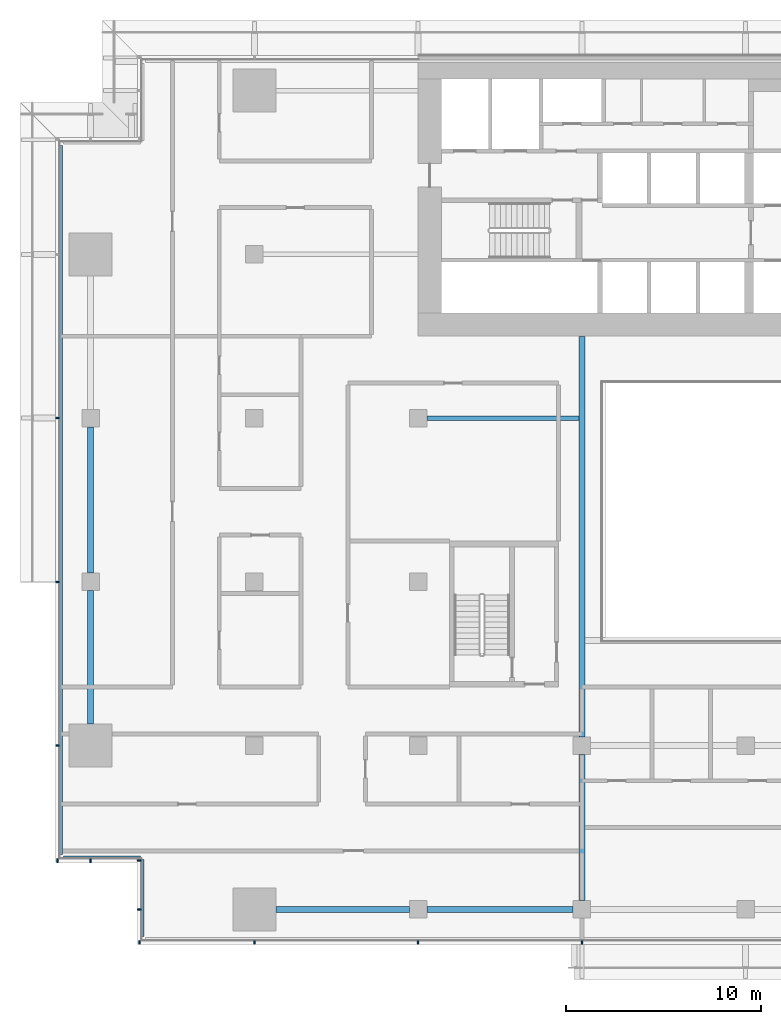
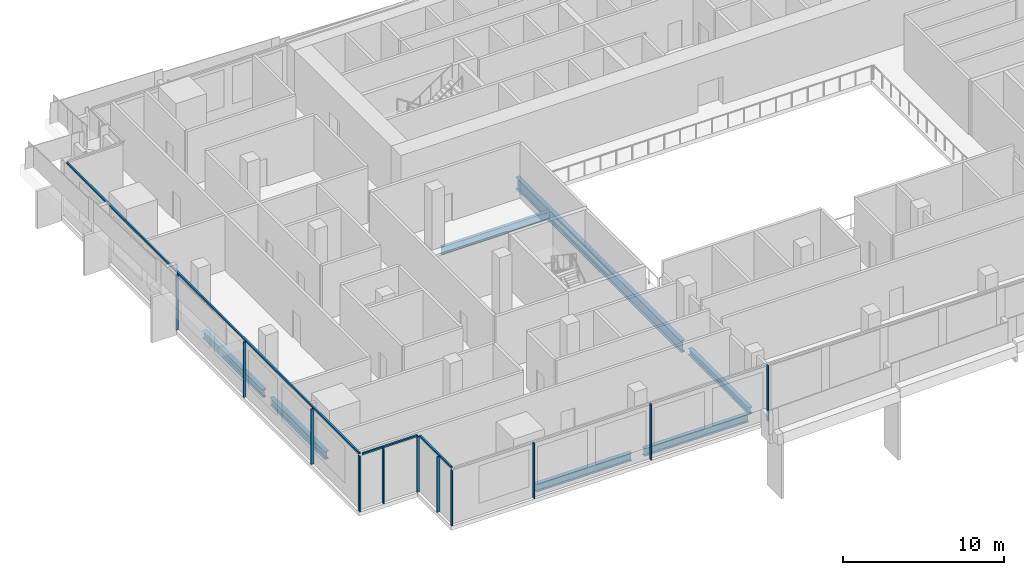
# One storey, part 2 of 24: 14 members, 7 beams, 4 elements without a shape of their own.
"""IFC4 building model written with IfcOpenShell, lengths in metres."""

from ifc_helpers import new_model, si_unit, direction, frame, origin, origin_2d, place, context, subcontext, project, spatial, rectangle, i_section, extrude, material, material_profile, profile_set, type_object, element, aggregate, save


model = new_model("IFC4")

# Units and contexts
model_context = context("Model", 3, precision=1e-05, world=origin(), true_north=direction((0.0, 1.0)))
body_context = subcontext(model_context, "Body", "Model", "MODEL_VIEW")
ifc_project = project(units=[si_unit("LENGTHUNIT", "METRE"), si_unit("AREAUNIT", "SQUARE_METRE"), si_unit("VOLUMEUNIT", "CUBIC_METRE"), si_unit("PLANEANGLEUNIT", "RADIAN"), si_unit("MASSUNIT", "GRAM", prefix="KILO")], contexts=[model_context])

# Site, building, storey
site_placement = place(None, origin())
site = spatial("IfcSite", under=ifc_project, at=site_placement, CompositionType="ELEMENT")
building_placement = place(site_placement, origin())
building = spatial("IfcBuilding", under=site, at=building_placement, Name="Saffron Gate Tower", CompositionType="ELEMENT")
storey_placement = place(building_placement, frame((0.0, 0.0, 28.199951171875)))
storey = spatial("IfcBuildingStorey", under=building, at=storey_placement, Name="L05", CompositionType="ELEMENT", Elevation=28.199951171875)

# Beams
ifc_material_1 = material(Name="Structural steel S355", Category="steel")
ifc_material_profile_1 = material_profile(ifc_material_1, i_section(OverallWidth=0.300048828125, OverallDepth=0.590087890625, WebThickness=0.012939453125, FlangeThickness=0.02490234375, FilletRadius=0.027099609375, at=origin_2d()))
ifc_profile_set_1 = profile_set([ifc_material_profile_1], Name="Structural steel S355")
beam_type_1 = type_object("IfcBeamType", Name="B14 HEA 600", PredefinedType="SPANDREL", material=ifc_profile_set_1)
beam_1_placement = place(storey_placement, frame((49.800048828125, 41.300048828125, -0.594970703125), z_axis=(0.0, 1.0, 0.0), x_axis=(-1.0, 0.0, 0.0)))
element("IfcBeam", 1, at=beam_1_placement, inside=storey, type_object=beam_type_1, Name="B14 SPANDREL BEAM", PredefinedType="SPANDREL", context=body_context, shape_type="SweptSolid", body=[
    extrude(i_section(OverallWidth=0.300048828125, OverallDepth=0.590087890625, WebThickness=0.012939453125, FlangeThickness=0.02490234375, FilletRadius=0.027099609375, at=origin_2d()), origin(), (0.0, 0.0, 1.0), 6.849853515625),
])
beam_2_placement = place(storey_placement, frame((49.800048828125, 49.050048828125, -0.594970703125), z_axis=(0.0, 1.0, 0.0), x_axis=(-1.0, 0.0, 0.0)))
element("IfcBeam", 2, at=beam_2_placement, inside=storey, type_object=beam_type_1, Name="B14 SPANDREL BEAM", PredefinedType="SPANDREL", context=body_context, shape_type="SweptSolid", body=[
    extrude(i_section(OverallWidth=0.300048828125, OverallDepth=0.590087890625, WebThickness=0.012939453125, FlangeThickness=0.02490234375, FilletRadius=0.027099609375, at=origin_2d()), origin(), (0.0, 0.0, 1.0), 7.5),
])
beam_3_placement = place(storey_placement, frame((59.300048828125, 31.800048828125, -0.594970703125), z_axis=(1.0, 0.0, 0.0), x_axis=(0.0, 1.0, 0.0)))
element("IfcBeam", 3, at=beam_3_placement, inside=storey, type_object=beam_type_1, Name="B14 SPANDREL BEAM", PredefinedType="SPANDREL", context=body_context, shape_type="SweptSolid", body=[
    extrude(i_section(OverallWidth=0.300048828125, OverallDepth=0.590087890625, WebThickness=0.012939453125, FlangeThickness=0.02490234375, FilletRadius=0.027099609375, at=origin_2d()), origin(), (0.0, 0.0, 1.0), 6.849853515625),
])
beam_4_placement = place(storey_placement, frame((67.050048828125, 31.800048828125, -0.594970703125), z_axis=(1.0, 0.0, 0.0), x_axis=(0.0, 1.0, 0.0)))
element("IfcBeam", 4, at=beam_4_placement, inside=storey, type_object=beam_type_1, Name="B14 SPANDREL BEAM", PredefinedType="SPANDREL", context=body_context, shape_type="SweptSolid", body=[
    extrude(i_section(OverallWidth=0.300048828125, OverallDepth=0.590087890625, WebThickness=0.012939453125, FlangeThickness=0.02490234375, FilletRadius=0.027099609375, at=origin_2d()), origin(), (0.0, 0.0, 1.0), 7.5),
])
ifc_material_profile_2 = material_profile(ifc_material_1, i_section(OverallWidth=0.219970703125, OverallDepth=0.60009765625, WebThickness=0.011962890625, FlangeThickness=0.01904296875, FilletRadius=0.02392578125, at=origin_2d()))
ifc_profile_set_2 = profile_set([ifc_material_profile_2], Name="Structural steel S355")
beam_type_2 = type_object("IfcBeamType", Name="B15 IPE 600", PredefinedType="BEAM", material=ifc_profile_set_2)
beam_5_placement = place(storey_placement, frame((67.050048828125, 57.0, -0.599853515625), z_axis=(1.0, 0.0, 0.0), x_axis=(0.0, 1.0, 0.0)))
element("IfcBeam", 5, at=beam_5_placement, inside=storey, type_object=beam_type_2, Name="B15 CORE TIE BEAM", PredefinedType="BEAM", context=body_context, shape_type="SweptSolid", body=[
    extrude(i_section(OverallWidth=0.219970703125, OverallDepth=0.60009765625, WebThickness=0.011962890625, FlangeThickness=0.01904296875, FilletRadius=0.02392578125, at=origin_2d()), origin(), (0.0, 0.0, 1.0), 7.800048828125),
])
ifc_material_profile_3 = material_profile(ifc_material_1, i_section(OverallWidth=0.300048828125, OverallDepth=0.89990234375, WebThickness=0.0185546875, FlangeThickness=0.034912109375, FilletRadius=0.030029296875, at=origin_2d()))
ifc_profile_set_3 = profile_set([ifc_material_profile_3], Name="Structural steel S355")
beam_type_3 = type_object("IfcBeamType", Name="B20 HEB 900", PredefinedType="BEAM", material=ifc_profile_set_3)
beam_6_placement = place(storey_placement, frame((75.0, 40.64990234375, -0.75), z_axis=(0.0, 1.0, 0.0), x_axis=(-1.0, 0.0, 0.0)))
element("IfcBeam", 6, at=beam_6_placement, inside=storey, type_object=beam_type_3, Name="B20 ATRIUM GIRDER", PredefinedType="BEAM", context=body_context, shape_type="SweptSolid", body=[
    extrude(i_section(OverallWidth=0.300048828125, OverallDepth=0.89990234375, WebThickness=0.0185546875, FlangeThickness=0.034912109375, FilletRadius=0.030029296875, at=origin_2d()), origin(), (0.0, 0.0, 1.0), 20.550048828125),
])
ifc_material_profile_4 = material_profile(ifc_material_1, i_section(OverallWidth=0.300048828125, OverallDepth=0.5, WebThickness=0.014404296875, FlangeThickness=0.028076171875, FilletRadius=0.027099609375, at=origin_2d()))
ifc_profile_set_4 = profile_set([ifc_material_profile_4], Name="Structural steel S355")
beam_type_4 = type_object("IfcBeamType", Name="B9 HEB 500", PredefinedType="BEAM", material=ifc_profile_set_4)
beam_7_placement = place(storey_placement, frame((75.0, 32.25, -0.550048828125), z_axis=(0.0, 1.0, 0.0), x_axis=(-1.0, 0.0, 0.0)))
element("IfcBeam", 7, at=beam_7_placement, inside=storey, type_object=beam_type_4, Name="B9 FLOOR GIRDER", PredefinedType="BEAM", context=body_context, shape_type="SweptSolid", body=[
    extrude(i_section(OverallWidth=0.300048828125, OverallDepth=0.5, WebThickness=0.014404296875, FlangeThickness=0.028076171875, FilletRadius=0.027099609375, at=origin_2d()), origin(), (0.0, 0.0, 1.0), 7.5),
])

# Curtain wall, member
ifc_material_2 = material(Name="Aluminium, bronze anodised", Category="aluminium")
curtain_wall_type = type_object("IfcCurtainWallType", Name="CWS6 curtain wall tall storeys", PredefinedType="NOTDEFINED", material=ifc_material_2)
curtain_wall_1_placement = place(storey_placement, origin())
curtain_wall_1 = element("IfcCurtainWall", 8, at=curtain_wall_1_placement, inside=storey, type_object=curtain_wall_type, Name="CWS6 run 10", PredefinedType="NOTDEFINED")
ifc_material_profile_5 = material_profile(ifc_material_2, rectangle(XDim=0.1201171875, YDim=0.1201171875, at=origin_2d()))
ifc_profile_set_5 = profile_set([ifc_material_profile_5], Name="Aluminium, bronze anodised")
member_type_1 = type_object("IfcMemberType", Name="CWS6 head transom", PredefinedType="USERDEFINED", material=ifc_profile_set_5)
member_1_placement = place(storey_placement, frame((48.2880859375, 70.991943359375, 4.14013671875), z_axis=(0.0, -1.0, 0.0), x_axis=(1.0, 0.0, 0.0)))
member_1 = element("IfcMember", 9, at=member_1_placement, type_object=member_type_1, Name="CWS6 head transom", ObjectType="TRANSOM", PredefinedType="USERDEFINED", context=body_context, shape_type="SweptSolid", body=[
    extrude(rectangle(XDim=0.1201171875, YDim=0.1201171875, at=origin_2d()), origin(), (0.0, 0.0, 1.0), 36.384033203125),
])

curtain_wall_2_placement = place(storey_placement, origin())
curtain_wall_2 = element("IfcCurtainWall", 10, at=curtain_wall_2_placement, inside=storey, type_object=curtain_wall_type, Name="CWS6 run 11", PredefinedType="NOTDEFINED")
member_2_placement = place(storey_placement, frame((48.407958984375, 34.488037109375, 4.14013671875), z_axis=(1.0, 0.0, 0.0), x_axis=(0.0, 1.0, 0.0)))
member_2 = element("IfcMember", 11, at=member_2_placement, type_object=member_type_1, Name="CWS6 head transom", ObjectType="TRANSOM", PredefinedType="USERDEFINED", context=body_context, shape_type="SweptSolid", body=[
    extrude(rectangle(XDim=0.1201171875, YDim=0.1201171875, at=origin_2d()), origin(), (0.0, 0.0, 1.0), 3.9599609375),
])

curtain_wall_3_placement = place(storey_placement, origin())
curtain_wall_3 = element("IfcCurtainWall", 12, at=curtain_wall_3_placement, inside=storey, type_object=curtain_wall_type, Name="CWS6 run 12", PredefinedType="NOTDEFINED")
member_3_placement = place(storey_placement, frame((52.488037109375, 34.367919921875, 4.14013671875), z_axis=(0.0, -1.0, 0.0), x_axis=(1.0, 0.0, 0.0)))
member_3 = element("IfcMember", 13, at=member_3_placement, type_object=member_type_1, Name="CWS6 head transom", ObjectType="TRANSOM", PredefinedType="USERDEFINED", context=body_context, shape_type="SweptSolid", body=[
    extrude(rectangle(XDim=0.1201171875, YDim=0.1201171875, at=origin_2d()), origin(), (0.0, 0.0, 1.0), 3.9599609375),
])

# Curtain wall, members
curtain_wall_4_placement = place(storey_placement, origin())
curtain_wall_4 = element("IfcCurtainWall", 14, at=curtain_wall_4_placement, inside=storey, type_object=curtain_wall_type, Name="CWS6 run 1", PredefinedType="NOTDEFINED")
ifc_material_profile_6 = material_profile(ifc_material_2, rectangle(XDim=0.199951171875, YDim=0.080078125, at=origin_2d()))
ifc_profile_set_6 = profile_set([ifc_material_profile_6], Name="Aluminium, bronze anodised")
member_type_2 = type_object("IfcMemberType", Name="CWS6 mullion 80x200", PredefinedType="MULLION", material=ifc_profile_set_6)
member_4_placement = place(storey_placement, frame((52.300048828125, 30.10009765625, 0.0), z_axis=(0.0, 0.0, 1.0), x_axis=(0.0, 1.0, 0.0)))
member_4 = element("IfcMember", 15, at=member_4_placement, type_object=member_type_2, Name="CWS6 mullion 1", PredefinedType="MULLION", context=body_context, shape_type="SweptSolid", body=[
    extrude(rectangle(XDim=0.199951171875, YDim=0.080078125, at=origin_2d()), origin(), (0.0, 0.0, 1.0), 4.199951171875),
])
member_5_placement = place(storey_placement, frame((58.199951171875, 30.10009765625, 0.0), z_axis=(0.0, 0.0, 1.0), x_axis=(0.0, 1.0, 0.0)))
member_5 = element("IfcMember", 16, at=member_5_placement, type_object=member_type_2, Name="CWS6 mullion 2", PredefinedType="MULLION", context=body_context, shape_type="SweptSolid", body=[
    extrude(rectangle(XDim=0.199951171875, YDim=0.080078125, at=origin_2d()), origin(), (0.0, 0.0, 1.0), 4.199951171875),
])
member_6_placement = place(storey_placement, frame((66.60009765625, 30.10009765625, 0.0), z_axis=(0.0, 0.0, 1.0), x_axis=(0.0, 1.0, 0.0)))
member_6 = element("IfcMember", 17, at=member_6_placement, type_object=member_type_2, Name="CWS6 mullion 3", PredefinedType="MULLION", context=body_context, shape_type="SweptSolid", body=[
    extrude(rectangle(XDim=0.199951171875, YDim=0.080078125, at=origin_2d()), origin(), (0.0, 0.0, 1.0), 4.199951171875),
])
member_7_placement = place(storey_placement, frame((75.0, 30.10009765625, 0.0), z_axis=(0.0, 0.0, 1.0), x_axis=(0.0, 1.0, 0.0)))
member_7 = element("IfcMember", 18, at=member_7_placement, type_object=member_type_2, Name="CWS6 mullion 4", PredefinedType="MULLION", context=body_context, shape_type="SweptSolid", body=[
    extrude(rectangle(XDim=0.199951171875, YDim=0.080078125, at=origin_2d()), origin(), (0.0, 0.0, 1.0), 4.199951171875),
])
aggregate(curtain_wall_4, [member_4, member_5, member_6, member_7])

# Member
member_8_placement = place(storey_placement, frame((48.10009765625, 57.0, 0.0), z_axis=(0.0, 0.0, 1.0), x_axis=(1.0, 0.0, 0.0)))
member_8 = element("IfcMember", 19, at=member_8_placement, type_object=member_type_2, Name="CWS6 mullion 3", PredefinedType="MULLION", context=body_context, shape_type="SweptSolid", body=[
    extrude(rectangle(XDim=0.199951171875, YDim=0.080078125, at=origin_2d()), origin(), (0.0, 0.0, 1.0), 4.199951171875),
])

member_9_placement = place(storey_placement, frame((48.10009765625, 48.60009765625, 0.0), z_axis=(0.0, 0.0, 1.0), x_axis=(1.0, 0.0, 0.0)))
member_9 = element("IfcMember", 20, at=member_9_placement, type_object=member_type_2, Name="CWS6 mullion 4", PredefinedType="MULLION", context=body_context, shape_type="SweptSolid", body=[
    extrude(rectangle(XDim=0.199951171875, YDim=0.080078125, at=origin_2d()), origin(), (0.0, 0.0, 1.0), 4.199951171875),
])

member_10_placement = place(storey_placement, frame((48.10009765625, 40.199951171875, 0.0), z_axis=(0.0, 0.0, 1.0), x_axis=(1.0, 0.0, 0.0)))
member_10 = element("IfcMember", 21, at=member_10_placement, type_object=member_type_2, Name="CWS6 mullion 5", PredefinedType="MULLION", context=body_context, shape_type="SweptSolid", body=[
    extrude(rectangle(XDim=0.199951171875, YDim=0.080078125, at=origin_2d()), origin(), (0.0, 0.0, 1.0), 4.199951171875),
])

aggregate(curtain_wall_1, [member_8, member_9, member_10, member_1])

member_11_placement = place(storey_placement, frame((48.10009765625, 34.300048828125, 0.0), z_axis=(0.0, 0.0, 1.0), x_axis=(0.0, 1.0, 0.0)))
member_11 = element("IfcMember", 22, at=member_11_placement, type_object=member_type_2, Name="CWS6 mullion 1", PredefinedType="MULLION", context=body_context, shape_type="SweptSolid", body=[
    extrude(rectangle(XDim=0.199951171875, YDim=0.080078125, at=origin_2d()), origin(), (0.0, 0.0, 1.0), 4.199951171875),
])

member_12_placement = place(storey_placement, frame((49.800048828125, 34.300048828125, 0.0), z_axis=(0.0, 0.0, 1.0), x_axis=(0.0, 1.0, 0.0)))
member_12 = element("IfcMember", 23, at=member_12_placement, type_object=member_type_2, Name="CWS6 mullion 2", PredefinedType="MULLION", context=body_context, shape_type="SweptSolid", body=[
    extrude(rectangle(XDim=0.199951171875, YDim=0.080078125, at=origin_2d()), origin(), (0.0, 0.0, 1.0), 4.199951171875),
])

aggregate(curtain_wall_2, [member_11, member_12, member_2])

member_13_placement = place(storey_placement, frame((52.300048828125, 34.300048828125, 0.0), z_axis=(0.0, 0.0, 1.0), x_axis=(1.0, 0.0, 0.0)))
member_13 = element("IfcMember", 24, at=member_13_placement, type_object=member_type_2, Name="CWS6 mullion 1", PredefinedType="MULLION", context=body_context, shape_type="SweptSolid", body=[
    extrude(rectangle(XDim=0.199951171875, YDim=0.080078125, at=origin_2d()), origin(), (0.0, 0.0, 1.0), 4.199951171875),
])

member_14_placement = place(storey_placement, frame((52.300048828125, 31.800048828125, 0.0), z_axis=(0.0, 0.0, 1.0), x_axis=(1.0, 0.0, 0.0)))
member_14 = element("IfcMember", 25, at=member_14_placement, type_object=member_type_2, Name="CWS6 mullion 2", PredefinedType="MULLION", context=body_context, shape_type="SweptSolid", body=[
    extrude(rectangle(XDim=0.199951171875, YDim=0.080078125, at=origin_2d()), origin(), (0.0, 0.0, 1.0), 4.199951171875),
])

aggregate(curtain_wall_3, [member_13, member_14, member_3])

save(model, "model.ifc")
